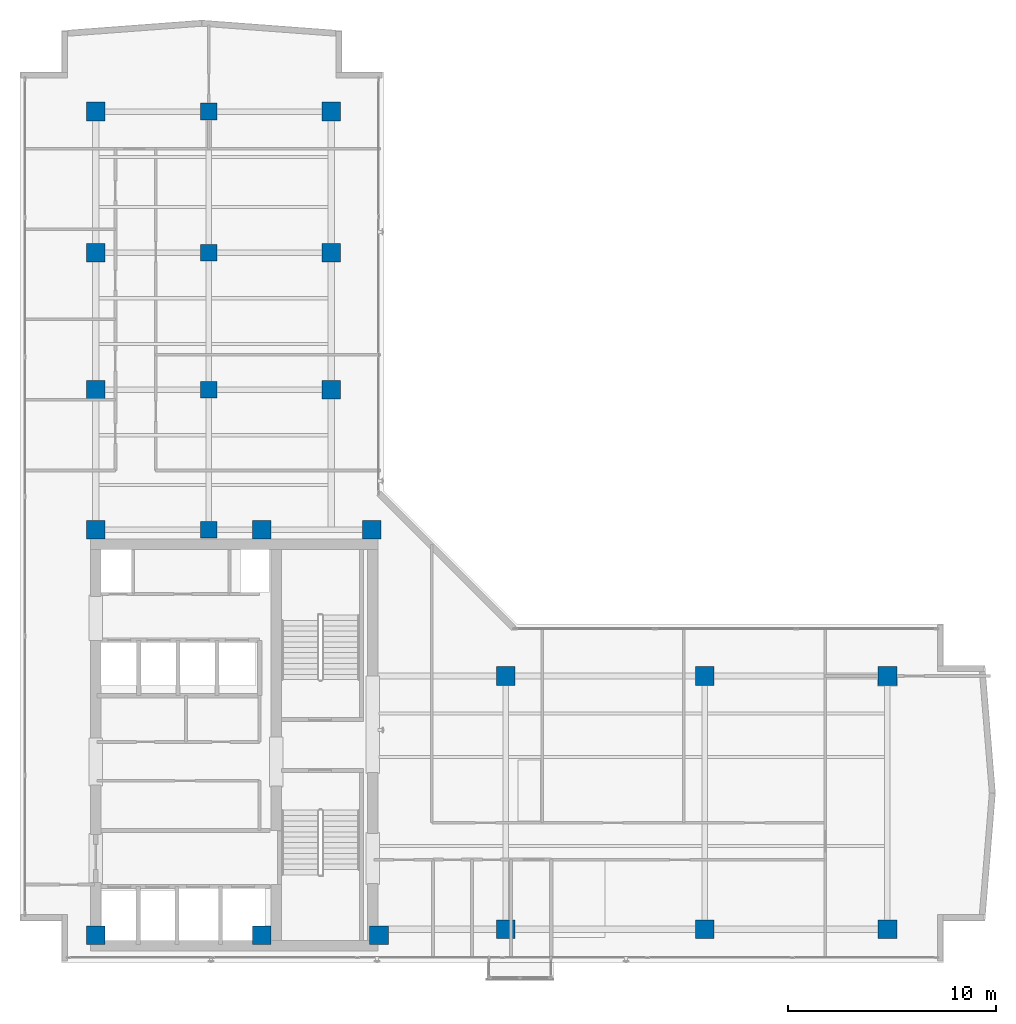
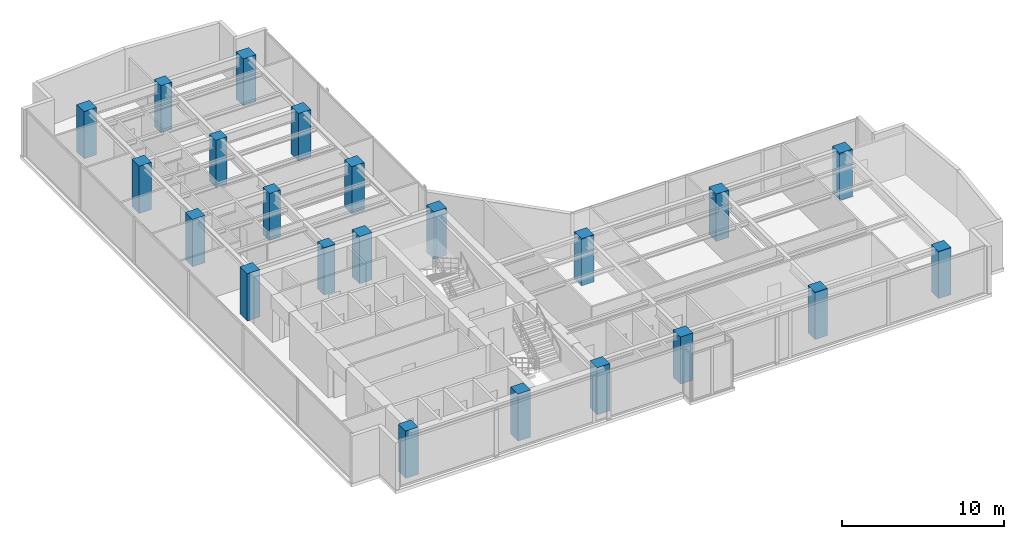
# One storey, part 1 of 24: 22 columns.
"""IFC4 building model written with IfcOpenShell, lengths in metres."""

from ifc_helpers import new_model, si_unit, direction, frame, origin, origin_2d, place, context, subcontext, project, spatial, rectangle, extrude, material, material_profile, profile_set, type_object, element, save


model = new_model("IFC4")

# Units and contexts
model_context = context("Model", 3, precision=1e-05, world=origin(), true_north=direction((0.0, 1.0)))
body_context = subcontext(model_context, "Body", "Model", "MODEL_VIEW")
ifc_project = project(units=[si_unit("LENGTHUNIT", "METRE"), si_unit("AREAUNIT", "SQUARE_METRE"), si_unit("VOLUMEUNIT", "CUBIC_METRE"), si_unit("PLANEANGLEUNIT", "RADIAN"), si_unit("MASSUNIT", "GRAM", prefix="KILO")], contexts=[model_context])

# Site, building, storey
site_placement = place(None, origin())
site = spatial("IfcSite", under=ifc_project, at=site_placement, CompositionType="ELEMENT")
building_placement = place(site_placement, origin())
building = spatial("IfcBuilding", under=site, at=building_placement, Name="Kolvaren Waterfront Exchange", CompositionType="ELEMENT")
storey_placement = place(building_placement, frame((0.0, 0.0, 293.199951171875)))
storey = spatial("IfcBuildingStorey", under=building, at=storey_placement, Name="L75", CompositionType="ELEMENT", Elevation=293.199951171875)

# Columns
ifc_material = material(Name="Concrete C50/60", Category="concrete")
ifc_material_profile_1 = material_profile(ifc_material, rectangle(XDim=0.800048828125, YDim=0.800048828125, at=origin_2d()), Name="RC-COL-800x800")
ifc_profile_set_1 = profile_set([ifc_material_profile_1], Name="Concrete C50/60")
column_type_1 = type_object("IfcColumnType", Name="STR-COL-800-C50", PredefinedType="COLUMN", material=ifc_profile_set_1)
for number, where, z_axis, x_axis, name in (
    (1, (12.89990234375, 24.449951171875, 0.0), (0.0, 0.0, 1.0), (1.0, 0.0, 0.0), "L75 column TC01"),
    (2, (12.89990234375, 31.199951171875, 0.0), (0.0, 0.0, 1.0), (1.0, 0.0, 0.0), "L75 column TC02"),
    (3, (12.89990234375, 37.800048828125, 0.0), (0.0, 0.0, 1.0), (1.0, 0.0, 0.0), "L75 column TC03"),
    (4, (12.89990234375, 44.60009765625, 0.0), (0.0, 0.0, 1.0), (1.0, 0.0, 0.0), "L75 column TC04"),
):
    element("IfcColumn", number, at=place(storey_placement, frame(where, z_axis=z_axis, x_axis=x_axis)), inside=storey, type_object=column_type_1, Name=name, PredefinedType="COLUMN", context=body_context, shape_type="SweptSolid", body=[
        extrude(rectangle(XDim=0.800048828125, YDim=0.800048828125, at=origin_2d()), origin(), (0.0, 0.0, 1.0), 3.56005859375),
    ])
ifc_material_profile_2 = material_profile(ifc_material, rectangle(XDim=0.89990234375, YDim=0.89990234375, at=origin_2d()), Name="RC-COL-900x900")
ifc_profile_set_2 = profile_set([ifc_material_profile_2], Name="Concrete C50/60")
column_type_2 = type_object("IfcColumnType", Name="STR-COL-900-C50", PredefinedType="COLUMN", material=ifc_profile_set_2)
for number, where, z_axis, x_axis, name in (
    (5, (7.449951171875, 4.89990234375, 0.0), (0.0, 0.0, 1.0), (1.0, 0.0, 0.0), "L75 column MC01"),
    (6, (15.449951171875, 4.89990234375, 0.0), (0.0, 0.0, 1.0), (1.0, 0.0, 0.0), "L75 column MC02"),
    (7, (21.10009765625, 4.89990234375, 0.0), (0.0, 0.0, 1.0), (1.0, 0.0, 0.0), "L75 column MC03"),
    (8, (7.449951171875, 24.449951171875, 0.0), (0.0, 0.0, 1.0), (1.0, 0.0, 0.0), "L75 column MC04"),
    (9, (15.449951171875, 24.449951171875, 0.0), (0.0, 0.0, 1.0), (1.0, 0.0, 0.0), "L75 column MC05"),
    (10, (20.75, 24.449951171875, 0.0), (0.0, 0.0, 1.0), (1.0, 0.0, 0.0), "L75 column MC06"),
    (11, (7.449951171875, 31.199951171875, 0.0), (0.0, 0.0, 1.0), (1.0, 0.0, 0.0), "L75 column NC01"),
    (12, (7.449951171875, 37.800048828125, 0.0), (0.0, 0.0, 1.0), (1.0, 0.0, 0.0), "L75 column NC02"),
    (13, (7.449951171875, 44.60009765625, 0.0), (0.0, 0.0, 1.0), (1.0, 0.0, 0.0), "L75 column NC03"),
    (14, (18.800048828125, 31.199951171875, 0.0), (0.0, 0.0, 1.0), (1.0, 0.0, 0.0), "L75 column NC04"),
    (15, (18.800048828125, 37.800048828125, 0.0), (0.0, 0.0, 1.0), (1.0, 0.0, 0.0), "L75 column NC05"),
    (16, (18.800048828125, 44.60009765625, 0.0), (0.0, 0.0, 1.0), (1.0, 0.0, 0.0), "L75 column NC06"),
    (17, (27.199951171875, 5.199951171875, 0.0), (0.0, 0.0, 1.0), (1.0, 0.0, 0.0), "L75 column EC01"),
    (18, (36.800048828125, 5.199951171875, 0.0), (0.0, 0.0, 1.0), (1.0, 0.0, 0.0), "L75 column EC02"),
    (19, (45.60009765625, 5.199951171875, 0.0), (0.0, 0.0, 1.0), (1.0, 0.0, 0.0), "L75 column EC03"),
    (20, (27.199951171875, 17.39990234375, 0.0), (0.0, 0.0, 1.0), (1.0, 0.0, 0.0), "L75 column EC04"),
    (21, (36.800048828125, 17.39990234375, 0.0), (0.0, 0.0, 1.0), (1.0, 0.0, 0.0), "L75 column EC05"),
    (22, (45.60009765625, 17.39990234375, 0.0), (0.0, 0.0, 1.0), (1.0, 0.0, 0.0), "L75 column EC06"),
):
    element("IfcColumn", number, at=place(storey_placement, frame(where, z_axis=z_axis, x_axis=x_axis)), inside=storey, type_object=column_type_2, Name=name, PredefinedType="COLUMN", context=body_context, shape_type="SweptSolid", body=[
        extrude(rectangle(XDim=0.89990234375, YDim=0.89990234375, at=origin_2d()), origin(), (0.0, 0.0, 1.0), 3.56005859375),
    ])

save(model, "model.ifc")
